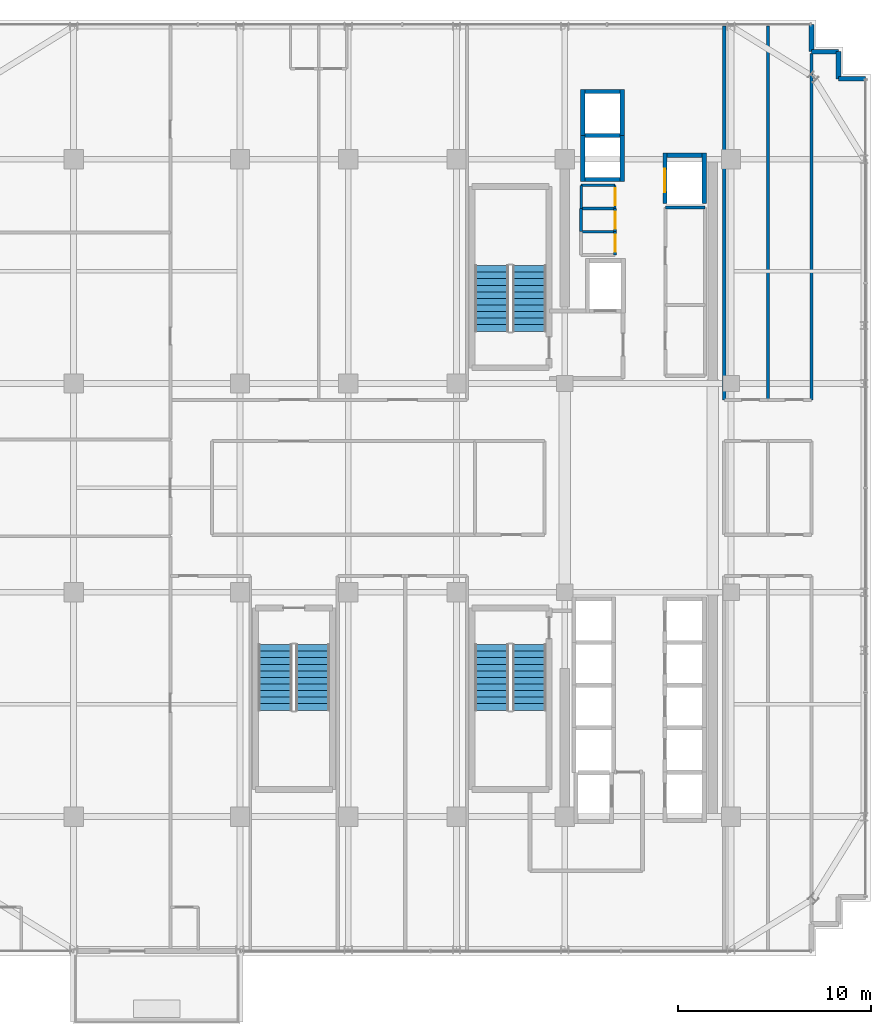
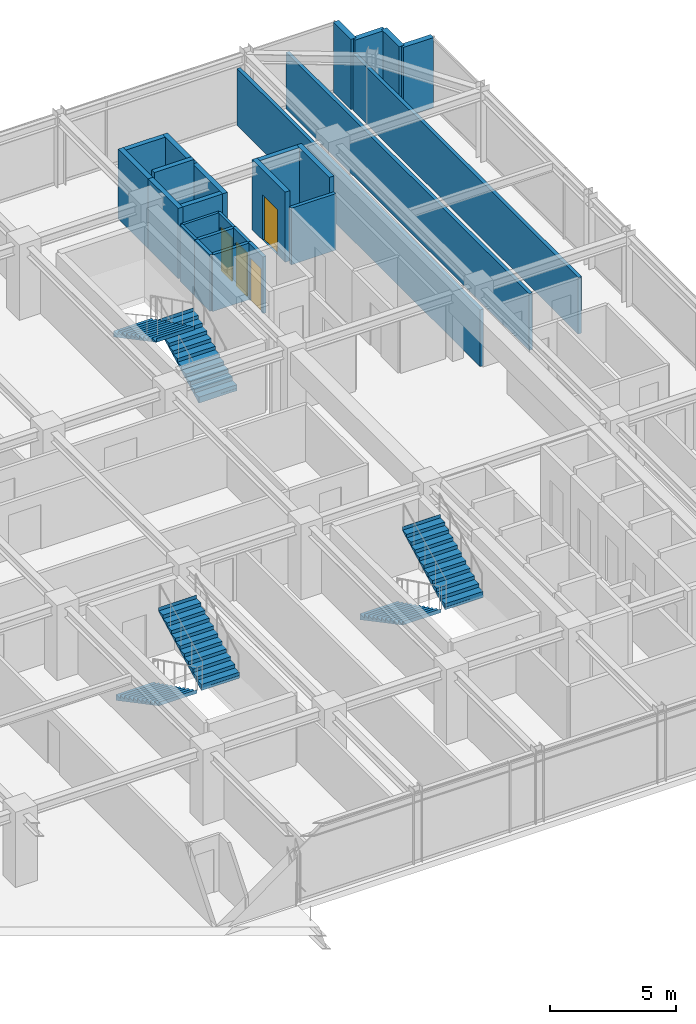
# One storey, part 32 of 35: 26 walls, 6 stair flights, 4 doors, 4 openings, 3 elements without a shape of their own.
"""IFC4 building model written with IfcOpenShell, lengths in metres."""

from ifc_helpers import new_model, si_unit, direction, frame, frame_2d, origin, place, context, subcontext, project, spatial, polyline, rectangle, outline, extrude, source, transform, mapped, material, layer, layer_set, type_object, element, fill, aggregate, save


model = new_model("IFC4")

# Units and contexts
model_context = context("Model", 3, precision=1e-05, world=origin(), true_north=direction((0.0, 1.0)))
body_context = subcontext(model_context, "Body", "Model", "MODEL_VIEW")
ifc_project = project(units=[si_unit("LENGTHUNIT", "METRE"), si_unit("AREAUNIT", "SQUARE_METRE"), si_unit("VOLUMEUNIT", "CUBIC_METRE"), si_unit("PLANEANGLEUNIT", "RADIAN"), si_unit("MASSUNIT", "GRAM", prefix="KILO")], contexts=[model_context])

# Site, building, storey
site_placement = place(None, origin())
site = spatial("IfcSite", under=ifc_project, at=site_placement, CompositionType="ELEMENT")
building_placement = place(site_placement, origin())
building = spatial("IfcBuilding", under=site, at=building_placement, Name="Nahalor Promenade Grand Hotel", CompositionType="ELEMENT")
storey_placement = place(building_placement, frame((0.0, 0.0, 245.60009765625)))
storey = spatial("IfcBuildingStorey", under=building, at=storey_placement, Name="L63", CompositionType="ELEMENT", Elevation=245.60009765625)

# Walls
ifc_material_1 = material(Name="Concrete B-50 (C40/50)", Category="concrete")
ifc_layer_1 = layer(ifc_material_1, 0.219970703125)
ifc_layer_set_1 = layer_set([ifc_layer_1], Name="Concrete B-50 (C40/50)")
wall_type_1 = type_object("IfcWallType", Name="Wall-LiftShaft-220", PredefinedType="SHEAR", material=ifc_layer_set_1)
shared_shape_1 = source(origin(), body_context, "Body", "SweptSolid", [
    extrude(rectangle(XDim=1.820068359375, YDim=0.219970703125, at=frame_2d((0.91015625, 0.0))), origin(), (0.0, 0.0, 1.0), 3.409912109375),
])
for number, where, z_axis, x_axis, name in (
    (1, (9.43994140625, 15.949951171875, 0.0), (0.0, 0.0, 1.0), (1.0, 0.0, 0.0), "L63 Lift OB1 Hoistway Wall S"),
    (2, (9.43994140625, 20.5, 0.0), (0.0, 0.0, 1.0), (1.0, 0.0, 0.0), "L63 Lift OB2 Hoistway Wall N"),
    (3, (13.68994140625, 17.199951171875, 0.0), (0.0, 0.0, 1.0), (1.0, 0.0, 0.0), "L63 Lift SV1 Hoistway Wall N"),
):
    element("IfcWall", number, at=place(storey_placement, frame(where, z_axis=z_axis, x_axis=x_axis)), inside=storey, type_object=wall_type_1, Name=name, PredefinedType="SHEAR", context=body_context, shape_type="MappedRepresentation", body=[
        mapped(shared_shape_1, transform((0.0, 0.0, 0.0), scale=1.0)),
    ])
shared_shape_2 = source(origin(), body_context, "Body", "SweptSolid", [
    extrude(rectangle(XDim=1.820068359375, YDim=0.219970703125, at=frame_2d((0.91015625, 0.0))), origin(), (0.0, 0.0, 1.0), 3.699951171875),
])
wall_1_placement = place(storey_placement, frame((9.43994140625, 18.22509765625, 0.0), z_axis=(0.0, 0.0, 1.0), x_axis=(1.0, 0.0, 0.0)))
element("IfcWall", 4, at=wall_1_placement, inside=storey, type_object=wall_type_1, Name="L63 Lift OB1 Hoistway Wall N", PredefinedType="SHEAR", context=body_context, shape_type="MappedRepresentation", body=[
    mapped(shared_shape_2, transform((0.0, 0.0, 0.0), scale=1.0)),
])
shared_shape_3 = source(origin(), body_context, "Body", "SweptSolid", [
    extrude(rectangle(XDim=2.385009765625, YDim=0.219970703125, at=frame_2d((1.1923828125, 0.0))), origin(), (0.0, 0.0, 1.0), 3.409912109375),
])
for number, where, z_axis, x_axis, name in (
    (5, (9.330078125, 15.840087890625, 0.0), (0.0, 0.0, 1.0), (0.0, 1.0, 0.0), "L63 Lift OB1 Hoistway Wall W"),
    (6, (11.3701171875, 15.840087890625, 0.0), (0.0, 0.0, 1.0), (0.0, 1.0, 0.0), "L63 Lift OB1 Hoistway Wall E"),
    (7, (9.330078125, 18.22509765625, 0.0), (0.0, 0.0, 1.0), (0.0, 1.0, 0.0), "L63 Lift OB2 Hoistway Wall W"),
    (8, (11.3701171875, 18.22509765625, 0.0), (0.0, 0.0, 1.0), (0.0, 1.0, 0.0), "L63 Lift OB2 Hoistway Wall E"),
):
    element("IfcWall", number, at=place(storey_placement, frame(where, z_axis=z_axis, x_axis=x_axis)), inside=storey, type_object=wall_type_1, Name=name, PredefinedType="SHEAR", context=body_context, shape_type="MappedRepresentation", body=[
        mapped(shared_shape_3, transform((0.0, 0.0, 0.0), scale=1.0)),
    ])

# Wall, opening, door
shared_shape_4 = source(origin(), body_context, "Body", "SweptSolid", [
    extrude(rectangle(XDim=2.610107421875, YDim=0.219970703125, at=frame_2d((1.30517578125, 0.0))), origin(), (0.0, 0.0, 1.0), 3.409912109375),
])
wall_2_placement = place(storey_placement, frame((13.580078125, 14.699951171875, 0.0), z_axis=(0.0, 0.0, 1.0), x_axis=(0.0, 1.0, 0.0)))
wall_2 = element("IfcWall", 9, at=wall_2_placement, inside=storey, type_object=wall_type_1, Name="L63 Lift SV1 Hoistway Wall W", PredefinedType="SHEAR", context=body_context, shape_type="MappedRepresentation", body=[
    mapped(shared_shape_4, transform((0.0, 0.0, 0.0), scale=1.0)),
])
opening_1_placement = place(wall_2_placement, frame((0.60009765625, 0.0, 0.0)))
opening_1 = element("IfcOpeningElement", 10, at=opening_1_placement, cuts=wall_2, Name="Opening LD-03", PredefinedType="OPENING", context=body_context, shape_type="SweptSolid", body=[
    extrude(rectangle(XDim=1.199951171875, YDim=2.199951171875, at=frame_2d((0.60009765625, 1.10009765625))), frame((0.0, 0.119873046875, 0.0), z_axis=(0.0, -1.0, 0.0), x_axis=(1.0, 0.0, 0.0)), (0.0, 0.0, 1.0), 0.239990234375),
])
ifc_material_2 = material(Name="Steel S355JR", Category="steel")
door_type_1 = type_object("IfcDoorType", Name="Door-LiftService-1200", OperationType="DOUBLE_DOOR_SLIDING", PredefinedType="DOOR", material=ifc_material_2)
shared_shape_5 = source(origin(), body_context, "Body", "SweptSolid", [
    extrude(rectangle(XDim=1.199951171875, YDim=2.199951171875, at=frame_2d((0.60009765625, 1.10009765625))), frame((0.0, 0.02490234375, 0.0), z_axis=(0.0, -1.0, 0.0), x_axis=(1.0, 0.0, 0.0)), (0.0, 0.0, 1.0), 0.050048828125),
])
door_1_placement = place(opening_1_placement, origin())
door_1 = element("IfcDoor", 11, at=door_1_placement, inside=storey, type_object=door_type_1, Name="DR-LIFT-SV1-L63", OperationType="DOUBLE_DOOR_SLIDING", OverallHeight=2.199951171875, OverallWidth=1.199951171875, PredefinedType="DOOR", context=body_context, shape_type="MappedRepresentation", body=[
    mapped(shared_shape_5, transform((0.0, 0.0, 0.0), scale=1.0)),
])
fill(opening_1, door_1)

# Walls
wall_3_placement = place(storey_placement, frame((15.6201171875, 14.699951171875, 0.0), z_axis=(0.0, 0.0, 1.0), x_axis=(0.0, 1.0, 0.0)))
element("IfcWall", 12, at=wall_3_placement, inside=storey, type_object=wall_type_1, Name="L63 Lift SV1 Hoistway Wall E", PredefinedType="SHEAR", context=body_context, shape_type="MappedRepresentation", body=[
    mapped(shared_shape_4, transform((0.0, 0.0, 0.0), scale=1.0)),
])
ifc_material_3 = material(Name="Concrete B-40 (C32/40)", Category="concrete")
ifc_layer_2 = layer(ifc_material_3, 0.25)
ifc_layer_set_2 = layer_set([ifc_layer_2], Name="Concrete B-40 (C32/40)")
wall_type_2 = type_object("IfcWallType", Name="Wall-BronzePier-250", PredefinedType="STANDARD", material=ifc_layer_set_2)
shared_shape_6 = source(origin(), body_context, "Body", "SweptSolid", [
    extrude(rectangle(XDim=1.39990234375, YDim=0.25, at=frame_2d((0.699951171875, 0.0))), origin(), (0.0, 0.0, 1.0), 3.409912109375),
])
for number, where, z_axis, x_axis, name in (
    (13, (22.56005859375, 21.159912109375, 0.0), (0.0, 0.0, 1.0), (1.0, 0.0, 0.0), "W-L63-SR-05"),
    (14, (21.159912109375, 22.56005859375, 0.0), (0.0, 0.0, 1.0), (0.0, 1.0, 0.0), "W-L63-SR-08"),
):
    element("IfcWall", number, at=place(storey_placement, frame(where, z_axis=z_axis, x_axis=x_axis)), inside=storey, type_object=wall_type_2, Name=name, PredefinedType="STANDARD", context=body_context, shape_type="MappedRepresentation", body=[
        mapped(shared_shape_6, transform((0.0, 0.0, 0.0), scale=1.0)),
    ])
shared_shape_7 = source(origin(), body_context, "Body", "SweptSolid", [
    extrude(rectangle(XDim=1.400146484375, YDim=0.25, at=frame_2d((0.7001953125, 0.0))), origin(), (0.0, 0.0, 1.0), 3.409912109375),
])
for number, where, z_axis, x_axis, name in (
    (15, (22.56005859375, 21.159912109375, 0.0), (0.0, 0.0, 1.0), (0.0, 1.0, 0.0), "W-L63-SR-06"),
    (16, (21.159912109375, 22.56005859375, 0.0), (0.0, 0.0, 1.0), (1.0, 0.0, 0.0), "W-L63-SR-07"),
):
    element("IfcWall", number, at=place(storey_placement, frame(where, z_axis=z_axis, x_axis=x_axis)), inside=storey, type_object=wall_type_2, Name=name, PredefinedType="STANDARD", context=body_context, shape_type="MappedRepresentation", body=[
        mapped(shared_shape_7, transform((0.0, 0.0, 0.0), scale=1.0)),
    ])
ifc_material_4 = material(Name="Acoustic Mineral Gypsum", Category="gypsum")
ifc_layer_3 = layer(ifc_material_4, 0.14990234375)
ifc_layer_set_3 = layer_set([ifc_layer_3], Name="Acoustic Mineral Gypsum")
wall_type_3 = type_object("IfcWallType", Name="Wall-PartService-150", PredefinedType="PARTITIONING", material=ifc_layer_set_3)
shared_shape_8 = source(origin(), body_context, "Body", "SweptSolid", [
    extrude(rectangle(XDim=1.75, YDim=0.14990234375, at=frame_2d((0.875, 0.0))), origin(), (0.0, 0.0, 1.0), 2.75),
])
for number, where, z_axis, x_axis, name in (
    (17, (9.25, 13.25, 0.0), (0.0, 0.0, 1.0), (1.0, 0.0, 0.0), "W-L63-CK3A-N"),
    (18, (9.25, 14.449951171875, 0.0), (0.0, 0.0, 1.0), (1.0, 0.0, 0.0), "W-L63-CK3B-N"),
):
    element("IfcWall", number, at=place(storey_placement, frame(where, z_axis=z_axis, x_axis=x_axis)), inside=storey, type_object=wall_type_3, Name=name, PredefinedType="PARTITIONING", context=body_context, shape_type="MappedRepresentation", body=[
        mapped(shared_shape_8, transform((0.0, 0.0, 0.0), scale=1.0)),
    ])
ifc_layer_4 = layer(ifc_material_4, 0.159912109375)
ifc_layer_set_4 = layer_set([ifc_layer_4], Name="Acoustic Mineral Gypsum")
wall_type_4 = type_object("IfcWallType", Name="Wall-PartCorridor-160", PredefinedType="PARTITIONING", material=ifc_layer_set_4)
shared_shape_9 = source(origin(), body_context, "Body", "SweptSolid", [
    extrude(rectangle(XDim=2.0498046875, YDim=0.159912109375, at=frame_2d((1.02490234375, 0.0))), origin(), (0.0, 0.0, 1.0), 2.75),
])
wall_4_placement = place(storey_placement, frame((13.60009765625, 14.5, 0.0), z_axis=(0.0, 0.0, 1.0), x_axis=(1.0, 0.0, 0.0)))
element("IfcWall", 19, at=wall_4_placement, inside=storey, type_object=wall_type_4, Name="W-L63-FRB1B-N", PredefinedType="PARTITIONING", context=body_context, shape_type="MappedRepresentation", body=[
    mapped(shared_shape_9, transform((0.0, 0.0, 0.0), scale=1.0)),
])
shared_shape_10 = source(origin(), body_context, "Body", "SweptSolid", [
    extrude(rectangle(XDim=19.349853515625, YDim=0.159912109375, at=frame_2d((9.6748046875, 0.0))), origin(), (0.0, 0.0, 1.0), 2.75),
])
for number, where, z_axis, x_axis, name in (
    (20, (16.64990234375, 4.550048828125, 0.0), (0.0, 0.0, 1.0), (0.0, 1.0, 0.0), "W-L63-ENE1-W"),
    (21, (18.905029296875, 4.550048828125, 0.0), (0.0, 0.0, 1.0), (0.0, 1.0, 0.0), "W-L63-ENE1-E"),
):
    element("IfcWall", number, at=place(storey_placement, frame(where, z_axis=z_axis, x_axis=x_axis)), inside=storey, type_object=wall_type_4, Name=name, PredefinedType="PARTITIONING", context=body_context, shape_type="MappedRepresentation", body=[
        mapped(shared_shape_10, transform((0.0, 0.0, 0.0), scale=1.0)),
    ])
shared_shape_11 = source(origin(), body_context, "Body", "SweptSolid", [
    extrude(rectangle(XDim=17.929931640625, YDim=0.159912109375, at=frame_2d((8.96484375, 0.0))), origin(), (0.0, 0.0, 1.0), 2.75),
])
wall_5_placement = place(storey_placement, frame((21.159912109375, 4.550048828125, 0.0), z_axis=(0.0, 0.0, 1.0), x_axis=(0.0, 1.0, 0.0)))
element("IfcWall", 22, at=wall_5_placement, inside=storey, type_object=wall_type_4, Name="W-L63-ENE2-E", PredefinedType="PARTITIONING", context=body_context, shape_type="MappedRepresentation", body=[
    mapped(shared_shape_11, transform((0.0, 0.0, 0.0), scale=1.0)),
])
ifc_layer_5 = layer(ifc_material_4, 0.1201171875)
ifc_layer_set_5 = layer_set([ifc_layer_5], Name="Acoustic Mineral Gypsum")
wall_type_5 = type_object("IfcWallType", Name="Wall-PartBath-120", PredefinedType="PARTITIONING", material=ifc_layer_set_5)
shared_shape_12 = source(origin(), body_context, "Body", "SweptSolid", [
    extrude(rectangle(XDim=1.75, YDim=0.1201171875, at=frame_2d((0.875, 0.0))), origin(), (0.0, 0.0, 1.0), 2.75),
])
wall_6_placement = place(storey_placement, frame((9.25, 15.64990234375, 0.0), z_axis=(0.0, 0.0, 1.0), x_axis=(1.0, 0.0, 0.0)))
element("IfcWall", 23, at=wall_6_placement, inside=storey, type_object=wall_type_5, Name="W-L63-CK3C-N", PredefinedType="PARTITIONING", context=body_context, shape_type="MappedRepresentation", body=[
    mapped(shared_shape_12, transform((0.0, 0.0, 0.0), scale=1.0)),
])

# Wall, opening, door
shared_shape_13 = source(origin(), body_context, "Body", "SweptSolid", [
    extrude(rectangle(XDim=1.199951171875, YDim=0.14990234375, at=frame_2d((0.60009765625, 0.0))), origin(), (0.0, 0.0, 1.0), 2.75),
])
wall_7_placement = place(storey_placement, frame((11.0, 12.050048828125, 0.0), z_axis=(0.0, 0.0, 1.0), x_axis=(0.0, 1.0, 0.0)))
wall_7 = element("IfcWall", 24, at=wall_7_placement, inside=storey, type_object=wall_type_3, Name="W-L63-CK3A-E", PredefinedType="PARTITIONING", context=body_context, shape_type="MappedRepresentation", body=[
    mapped(shared_shape_13, transform((0.0, 0.0, 0.0), scale=1.0)),
])
opening_2_placement = place(wall_7_placement, frame((0.159912109375, 0.0, 0.0)))
opening_2 = element("IfcOpeningElement", 25, at=opening_2_placement, cuts=wall_7, Name="Opening D-03", PredefinedType="OPENING", context=body_context, shape_type="SweptSolid", body=[
    extrude(rectangle(XDim=0.8798828125, YDim=2.10009765625, at=frame_2d((0.43994140625, 1.050048828125))), frame((0.0, 0.0849609375, 0.0), z_axis=(0.0, -1.0, 0.0), x_axis=(1.0, 0.0, 0.0)), (0.0, 0.0, 1.0), 0.169921875),
])
ifc_material_5 = material(Name="Fire-Rated Timber Composite", Category="wood")
door_type_2 = type_object("IfcDoorType", Name="Door-BathSwing-880", OperationType="NOTDEFINED", PredefinedType="DOOR", material=ifc_material_5)
shared_shape_14 = source(origin(), body_context, "Body", "SweptSolid", [
    extrude(rectangle(XDim=0.8798828125, YDim=2.10009765625, at=frame_2d((0.43994140625, 1.050048828125))), frame((0.0, 0.02490234375, 0.0), z_axis=(0.0, -1.0, 0.0), x_axis=(1.0, 0.0, 0.0)), (0.0, 0.0, 1.0), 0.050048828125),
])
door_2_placement = place(opening_2_placement, origin())
door_2 = element("IfcDoor", 26, at=door_2_placement, inside=storey, type_object=door_type_2, Name="DR-L63-CK3A", OperationType="SINGLE_SWING_LEFT", OverallHeight=2.10009765625, OverallWidth=0.8798828125, PredefinedType="DOOR", context=body_context, shape_type="MappedRepresentation", body=[
    mapped(shared_shape_14, transform((0.0, 0.0, 0.0), scale=1.0)),
])
fill(opening_2, door_2)

# Wall
wall_8_placement = place(storey_placement, frame((9.25, 13.25, 0.0), z_axis=(0.0, 0.0, 1.0), x_axis=(0.0, 1.0, 0.0)))
element("IfcWall", 27, at=wall_8_placement, inside=storey, type_object=wall_type_3, Name="W-L63-CK3B-W", PredefinedType="PARTITIONING", context=body_context, shape_type="MappedRepresentation", body=[
    mapped(shared_shape_13, transform((0.0, 0.0, 0.0), scale=1.0)),
])

# Wall, opening, door
wall_9_placement = place(storey_placement, frame((11.0, 13.25, 0.0), z_axis=(0.0, 0.0, 1.0), x_axis=(0.0, 1.0, 0.0)))
wall_9 = element("IfcWall", 28, at=wall_9_placement, inside=storey, type_object=wall_type_3, Name="W-L63-CK3B-E", PredefinedType="PARTITIONING", context=body_context, shape_type="MappedRepresentation", body=[
    mapped(shared_shape_13, transform((0.0, 0.0, 0.0), scale=1.0)),
])
opening_3_placement = place(wall_9_placement, frame((0.159912109375, 0.0, 0.0)))
opening_3 = element("IfcOpeningElement", 29, at=opening_3_placement, cuts=wall_9, Name="Opening D-03", PredefinedType="OPENING", context=body_context, shape_type="SweptSolid", body=[
    extrude(rectangle(XDim=0.8798828125, YDim=2.10009765625, at=frame_2d((0.43994140625, 1.050048828125))), frame((0.0, 0.0849609375, 0.0), z_axis=(0.0, -1.0, 0.0), x_axis=(1.0, 0.0, 0.0)), (0.0, 0.0, 1.0), 0.169921875),
])
door_3_placement = place(opening_3_placement, origin())
door_3 = element("IfcDoor", 30, at=door_3_placement, inside=storey, type_object=door_type_2, Name="DR-L63-CK3B", OperationType="SINGLE_SWING_RIGHT", OverallHeight=2.10009765625, OverallWidth=0.8798828125, PredefinedType="DOOR", context=body_context, shape_type="MappedRepresentation", body=[
    mapped(shared_shape_14, transform((0.0, 0.0, 0.0), scale=1.0)),
])
fill(opening_3, door_3)

# Wall
shared_shape_15 = source(origin(), body_context, "Body", "SweptSolid", [
    extrude(rectangle(XDim=1.199951171875, YDim=0.1201171875, at=frame_2d((0.60009765625, 0.0))), origin(), (0.0, 0.0, 1.0), 2.75),
])
wall_10_placement = place(storey_placement, frame((9.25, 14.449951171875, 0.0), z_axis=(0.0, 0.0, 1.0), x_axis=(0.0, 1.0, 0.0)))
element("IfcWall", 31, at=wall_10_placement, inside=storey, type_object=wall_type_5, Name="W-L63-CK3C-W", PredefinedType="PARTITIONING", context=body_context, shape_type="MappedRepresentation", body=[
    mapped(shared_shape_15, transform((0.0, 0.0, 0.0), scale=1.0)),
])

# Wall, opening, door
wall_11_placement = place(storey_placement, frame((11.0, 14.449951171875, 0.0), z_axis=(0.0, 0.0, 1.0), x_axis=(0.0, 1.0, 0.0)))
wall_11 = element("IfcWall", 32, at=wall_11_placement, inside=storey, type_object=wall_type_5, Name="W-L63-CK3C-E", PredefinedType="PARTITIONING", context=body_context, shape_type="MappedRepresentation", body=[
    mapped(shared_shape_15, transform((0.0, 0.0, 0.0), scale=1.0)),
])
opening_4_placement = place(wall_11_placement, frame((0.159912109375, 0.0, 0.0)))
opening_4 = element("IfcOpeningElement", 33, at=opening_4_placement, cuts=wall_11, Name="Opening D-03", PredefinedType="OPENING", context=body_context, shape_type="SweptSolid", body=[
    extrude(rectangle(XDim=0.8798828125, YDim=2.10009765625, at=frame_2d((0.43994140625, 1.050048828125))), frame((0.0, 0.070068359375, 0.0), z_axis=(0.0, -1.0, 0.0), x_axis=(1.0, 0.0, 0.0)), (0.0, 0.0, 1.0), 0.14013671875),
])
door_4_placement = place(opening_4_placement, origin())
door_4 = element("IfcDoor", 34, at=door_4_placement, inside=storey, type_object=door_type_2, Name="DR-L63-CK3C", OperationType="SINGLE_SWING_LEFT", OverallHeight=2.10009765625, OverallWidth=0.8798828125, PredefinedType="DOOR", context=body_context, shape_type="MappedRepresentation", body=[
    mapped(shared_shape_14, transform((0.0, 0.0, 0.0), scale=1.0)),
])
fill(opening_4, door_4)

# Stair, stair flights
stair_type_1 = type_object("IfcStairType", Name="Stair-ST1", PredefinedType="HALF_TURN_STAIR", material=ifc_material_1)
stair_1_placement = place(storey_placement, origin())
stair_1 = element("IfcStair", 35, at=stair_1_placement, inside=storey, type_object=stair_type_1, Name="L63 ST1", PredefinedType="HALF_TURN_STAIR")
ifc_layer_6 = layer(ifc_material_1, 0.179931640625)
ifc_layer_set_6 = layer_set([ifc_layer_6], Name="Concrete B-50 (C40/50)")
stair_flight_type_1 = type_object("IfcStairFlightType", Name="Flight-ST1", PredefinedType="STRAIGHT", material=ifc_layer_set_6)
shared_shape_16 = source(origin(), body_context, "Body", "SweptSolid", [
    extrude(outline(polyline([(-0.00390625, -0.1201171875), (-0.00390625, 0.0), (0.0, 0.0), (0.0, 0.168212890625), (0.340087890625, 0.168212890625), (0.340087890625, 0.33642578125), (0.679931640625, 0.33642578125), (0.679931640625, 0.504638671875), (1.02001953125, 0.504638671875), (1.02001953125, 0.672607421875), (1.360107421875, 0.672607421875), (1.360107421875, 0.8408203125), (1.699951171875, 0.8408203125), (1.699951171875, 1.009033203125), (2.0400390625, 1.009033203125), (2.0400390625, 1.17724609375), (2.3798828125, 1.17724609375), (2.3798828125, 1.345458984375), (2.719970703125, 1.345458984375), (2.719970703125, 1.513671875), (3.06005859375, 1.513671875), (3.06005859375, 1.681884765625), (3.39990234375, 1.681884765625), (3.39990234375, 1.85009765625), (3.404052734375, 1.85009765625), (3.404052734375, 1.669921875), (0.02001953125, -0.1201171875), (-0.00390625, -0.1201171875)])), frame((0.0, 0.875, 0.0), z_axis=(0.0, -1.0, 0.0), x_axis=(1.0, 0.0, 0.0)), (0.0, 0.0, 1.0), 1.75),
])
stair_flight_1_placement = place(storey_placement, frame((6.574951171875, 8.10009765625, 0.0), z_axis=(0.0, 0.0, 1.0), x_axis=(0.0, 1.0, 0.0)))
stair_flight_1 = element("IfcStairFlight", 36, at=stair_flight_1_placement, type_object=stair_flight_type_1, Name="ST1 flight 1", NumberOfRisers=11, NumberOfTreads=10, PredefinedType="STRAIGHT", RiserHeight=0.168181818, TreadLength=0.34, context=body_context, shape_type="MappedRepresentation", body=[
    mapped(shared_shape_16, transform((0.0, 0.0, 0.0), scale=1.0)),
])
stair_flight_2_placement = place(storey_placement, frame((4.625, 11.5, 1.849853515625), z_axis=(0.0, 0.0, 1.0), x_axis=(0.0, -1.0, 0.0)))
stair_flight_2 = element("IfcStairFlight", 37, at=stair_flight_2_placement, type_object=stair_flight_type_1, Name="ST1 flight 2", NumberOfRisers=11, NumberOfTreads=10, PredefinedType="STRAIGHT", RiserHeight=0.168181818, TreadLength=0.34, context=body_context, shape_type="MappedRepresentation", body=[
    mapped(shared_shape_16, transform((0.0, 0.0, 0.0), scale=1.0)),
])
aggregate(stair_1, [stair_flight_1, stair_flight_2])

stair_type_2 = type_object("IfcStairType", Name="Stair-ST2", PredefinedType="HALF_TURN_STAIR", material=ifc_material_1)
stair_2_placement = place(storey_placement, origin())
stair_2 = element("IfcStair", 38, at=stair_2_placement, inside=storey, type_object=stair_type_2, Name="L63 ST2", PredefinedType="HALF_TURN_STAIR")
ifc_layer_7 = layer(ifc_material_1, 0.18994140625)
ifc_layer_set_7 = layer_set([ifc_layer_7], Name="Concrete B-50 (C40/50)")
stair_flight_type_2 = type_object("IfcStairFlightType", Name="Flight-ST2", PredefinedType="STRAIGHT", material=ifc_layer_set_7)
shared_shape_17 = source(origin(), body_context, "Body", "SweptSolid", [
    extrude(outline(polyline([(-0.00390625, -0.1201171875), (-0.00390625, 0.0), (0.0, 0.0), (0.0, 0.168212890625), (0.340087890625, 0.168212890625), (0.340087890625, 0.33642578125), (0.679931640625, 0.33642578125), (0.679931640625, 0.504638671875), (1.02001953125, 0.504638671875), (1.02001953125, 0.672607421875), (1.360107421875, 0.672607421875), (1.360107421875, 0.8408203125), (1.699951171875, 0.8408203125), (1.699951171875, 1.009033203125), (2.0400390625, 1.009033203125), (2.0400390625, 1.17724609375), (2.3798828125, 1.17724609375), (2.3798828125, 1.345458984375), (2.719970703125, 1.345458984375), (2.719970703125, 1.513671875), (3.06005859375, 1.513671875), (3.06005859375, 1.681884765625), (3.39990234375, 1.681884765625), (3.39990234375, 1.85009765625), (3.404052734375, 1.85009765625), (3.404052734375, 1.669921875), (0.02001953125, -0.1201171875), (-0.00390625, -0.1201171875)])), frame((0.0, 0.875, 0.0), z_axis=(0.0, -1.0, 0.0), x_axis=(1.0, 0.0, 0.0)), (0.0, 0.0, 1.0), 1.75),
])
stair_flight_3_placement = place(storey_placement, frame((4.625, -8.10009765625, 0.0), z_axis=(0.0, 0.0, 1.0), x_axis=(0.0, -1.0, 0.0)))
stair_flight_3 = element("IfcStairFlight", 39, at=stair_flight_3_placement, type_object=stair_flight_type_2, Name="ST2 flight 1", NumberOfRisers=11, NumberOfTreads=10, PredefinedType="STRAIGHT", RiserHeight=0.168181818, TreadLength=0.34, context=body_context, shape_type="MappedRepresentation", body=[
    mapped(shared_shape_17, transform((0.0, 0.0, 0.0), scale=1.0)),
])
stair_flight_4_placement = place(storey_placement, frame((6.574951171875, -11.5, 1.849853515625), z_axis=(0.0, 0.0, 1.0), x_axis=(0.0, 1.0, 0.0)))
stair_flight_4 = element("IfcStairFlight", 40, at=stair_flight_4_placement, type_object=stair_flight_type_2, Name="ST2 flight 2", NumberOfRisers=11, NumberOfTreads=10, PredefinedType="STRAIGHT", RiserHeight=0.168181818, TreadLength=0.34, context=body_context, shape_type="MappedRepresentation", body=[
    mapped(shared_shape_17, transform((0.0, 0.0, 0.0), scale=1.0)),
])
aggregate(stair_2, [stair_flight_3, stair_flight_4])

stair_type_3 = type_object("IfcStairType", Name="Stair-ST3", PredefinedType="HALF_TURN_STAIR", material=ifc_material_1)
stair_3_placement = place(storey_placement, origin())
stair_3 = element("IfcStair", 41, at=stair_3_placement, inside=storey, type_object=stair_type_3, Name="L63 ST3", PredefinedType="HALF_TURN_STAIR")
ifc_layer_8 = layer(ifc_material_1, 0.199951171875)
ifc_layer_set_8 = layer_set([ifc_layer_8], Name="Concrete B-50 (C40/50)")
stair_flight_type_3 = type_object("IfcStairFlightType", Name="Flight-ST3", PredefinedType="STRAIGHT", material=ifc_layer_set_8)
shared_shape_18 = source(origin(), body_context, "Body", "SweptSolid", [
    extrude(outline(polyline([(-0.00390625, -0.1201171875), (-0.00390625, 0.0), (0.0, 0.0), (0.0, 0.168212890625), (0.340087890625, 0.168212890625), (0.340087890625, 0.33642578125), (0.679931640625, 0.33642578125), (0.679931640625, 0.504638671875), (1.02001953125, 0.504638671875), (1.02001953125, 0.672607421875), (1.360107421875, 0.672607421875), (1.360107421875, 0.8408203125), (1.699951171875, 0.8408203125), (1.699951171875, 1.009033203125), (2.0400390625, 1.009033203125), (2.0400390625, 1.17724609375), (2.3798828125, 1.17724609375), (2.3798828125, 1.345458984375), (2.719970703125, 1.345458984375), (2.719970703125, 1.513671875), (3.06005859375, 1.513671875), (3.06005859375, 1.681884765625), (3.39990234375, 1.681884765625), (3.39990234375, 1.85009765625), (3.404052734375, 1.85009765625), (3.404052734375, 1.669921875), (0.02001953125, -0.1201171875), (-0.00390625, -0.1201171875)])), frame((0.0, 0.875, 0.0), z_axis=(0.0, -1.0, 0.0), x_axis=(1.0, 0.0, 0.0)), (0.0, 0.0, 1.0), 1.75),
])
stair_flight_5_placement = place(storey_placement, frame((-6.574951171875, -8.10009765625, 0.0), z_axis=(0.0, 0.0, 1.0), x_axis=(0.0, -1.0, 0.0)))
stair_flight_5 = element("IfcStairFlight", 42, at=stair_flight_5_placement, type_object=stair_flight_type_3, Name="ST3 flight 1", NumberOfRisers=11, NumberOfTreads=10, PredefinedType="STRAIGHT", RiserHeight=0.168181818, TreadLength=0.34, context=body_context, shape_type="MappedRepresentation", body=[
    mapped(shared_shape_18, transform((0.0, 0.0, 0.0), scale=1.0)),
])
stair_flight_6_placement = place(storey_placement, frame((-4.625, -11.5, 1.849853515625), z_axis=(0.0, 0.0, 1.0), x_axis=(0.0, 1.0, 0.0)))
stair_flight_6 = element("IfcStairFlight", 43, at=stair_flight_6_placement, type_object=stair_flight_type_3, Name="ST3 flight 2", NumberOfRisers=11, NumberOfTreads=10, PredefinedType="STRAIGHT", RiserHeight=0.168181818, TreadLength=0.34, context=body_context, shape_type="MappedRepresentation", body=[
    mapped(shared_shape_18, transform((0.0, 0.0, 0.0), scale=1.0)),
])
aggregate(stair_3, [stair_flight_5, stair_flight_6])

save(model, "model.ifc")
